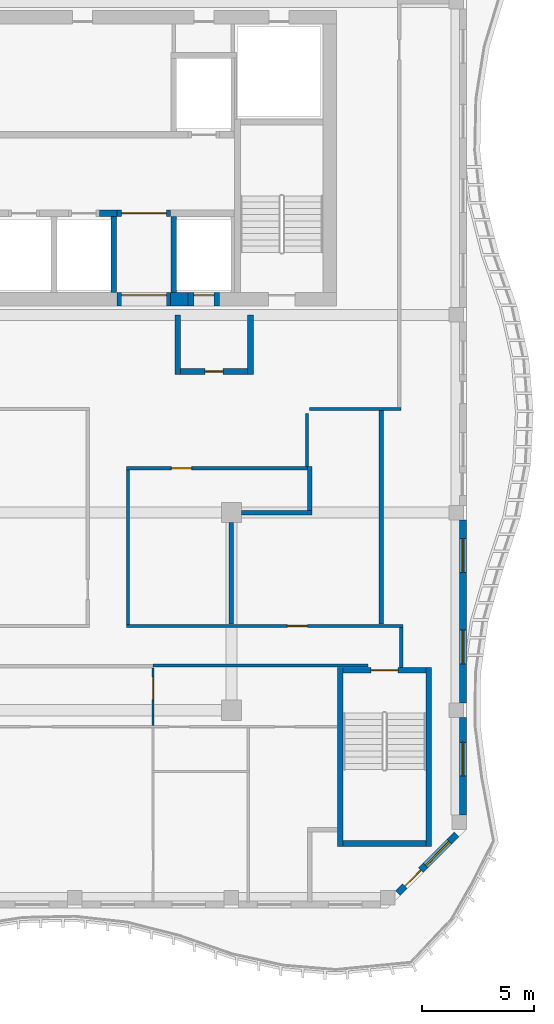
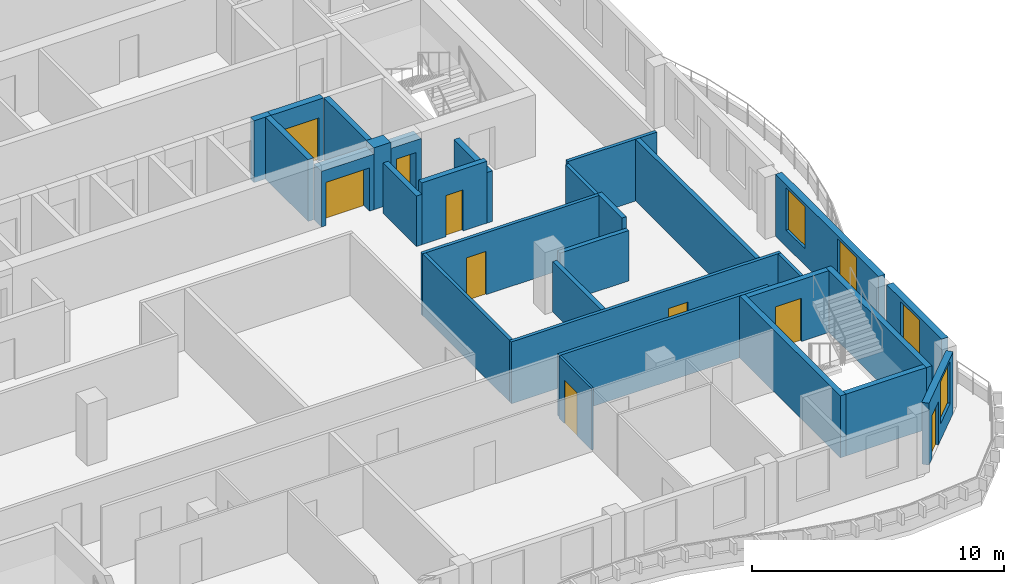
# One storey, part 5 of 13: 29 walls, 9 doors, 4 windows, 13 openings.
"""IFC4 building model written with IfcOpenShell, lengths in metres."""

from ifc_helpers import new_model, si_unit, direction, frame, frame_2d, origin, place, context, subcontext, project, spatial, rectangle, extrude, source, transform, mapped, material, layer, layer_set, type_object, element, fill, save


model = new_model("IFC4")

# Units and contexts
model_context = context("Model", 3, precision=1e-05, world=origin(), true_north=direction((0.0, 1.0)))
body_context = subcontext(model_context, "Body", "Model", "MODEL_VIEW")
ifc_project = project(units=[si_unit("LENGTHUNIT", "METRE"), si_unit("AREAUNIT", "SQUARE_METRE"), si_unit("VOLUMEUNIT", "CUBIC_METRE"), si_unit("PLANEANGLEUNIT", "RADIAN"), si_unit("MASSUNIT", "GRAM", prefix="KILO")], contexts=[model_context])

# Site, building, storey
site_placement = place(None, origin())
site = spatial("IfcSite", under=ifc_project, at=site_placement, CompositionType="ELEMENT")
building_placement = place(site_placement, origin())
building = spatial("IfcBuilding", under=site, at=building_placement, Name="Kilnfold Tower and Market Hall", CompositionType="ELEMENT")
storey_placement = place(building_placement, frame((0.0, 0.0, 287.39990234375)))
storey = spatial("IfcBuildingStorey", under=building, at=storey_placement, Name="L71", CompositionType="ELEMENT", Elevation=287.39990234375)

# Walls
ifc_material_1 = material(Name="Gypsum board on steel studs", Category="steel")
ifc_layer_1 = layer(ifc_material_1, 0.14990234375)
ifc_layer_set_1 = layer_set([ifc_layer_1], Name="Gypsum board on steel studs")
wall_type_1 = type_object("IfcWallType", Name="WALL CORRIDOR 150", PredefinedType="PARTITIONING", material=ifc_layer_set_1)
wall_1_placement = place(storey_placement, frame((9.489990234375, -7.669921875, 0.0), z_axis=(0.0, 0.0, 1.0), x_axis=(1.0, 0.0, 0.0)))
element("IfcWall", 1, at=wall_1_placement, inside=storey, type_object=wall_type_1, Name="Partition LY43.15", PredefinedType="PARTITIONING", context=body_context, shape_type="SweptSolid", body=[
    extrude(rectangle(XDim=9.610107421875, YDim=0.14990234375, at=frame_2d((4.80517578125, 0.0))), origin(), (0.0, 0.0, 1.0), 3.0),
])
wall_2_placement = place(storey_placement, frame((20.60009765625, -7.75, 0.0), z_axis=(0.0, 0.0, 1.0), x_axis=(0.0, 1.0, 0.0)))
element("IfcWall", 2, at=wall_2_placement, inside=storey, type_object=wall_type_1, Name="Partition LY43.17", PredefinedType="PARTITIONING", context=body_context, shape_type="SweptSolid", body=[
    extrude(rectangle(XDim=1.77490234375, YDim=0.14990234375, at=frame_2d((0.887451171875, 0.0))), origin(), (0.0, 0.0, 1.0), 3.0),
])
wall_3_placement = place(storey_placement, frame((16.3798828125, 1.22509765625, 0.0), z_axis=(0.0, 0.0, 1.0), x_axis=(0.0, 1.0, 0.0)))
element("IfcWall", 3, at=wall_3_placement, inside=storey, type_object=wall_type_1, Name="Partition LY43.30", PredefinedType="PARTITIONING", context=body_context, shape_type="SweptSolid", body=[
    extrude(rectangle(XDim=2.367919921875, YDim=0.14990234375, at=frame_2d((1.18408203125, 0.0))), origin(), (0.0, 0.0, 1.0), 3.0),
])

# Wall, opening, door
wall_4_placement = place(storey_placement, frame((8.304931640625, 1.14990234375, 0.0), z_axis=(0.0, 0.0, 1.0), x_axis=(1.0, 0.0, 0.0)))
wall_4 = element("IfcWall", 4, at=wall_4_placement, inside=storey, type_object=wall_type_1, Name="Partition LY43.31", PredefinedType="PARTITIONING", context=body_context, shape_type="SweptSolid", body=[
    extrude(rectangle(XDim=8.094970703125, YDim=0.14990234375, at=frame_2d((4.04736328125, 0.0))), origin(), (0.0, 0.0, 1.0), 3.0),
])
opening_1_placement = place(wall_4_placement, frame((2.012939453125, 0.0, 0.0)))
opening_1 = element("IfcOpeningElement", 5, at=opening_1_placement, cuts=wall_4, Name="Opening D2", PredefinedType="OPENING", context=body_context, shape_type="SweptSolid", body=[
    extrude(rectangle(XDim=0.89990234375, YDim=2.10009765625, at=frame_2d((0.449951171875, 1.050048828125))), frame((0.0, 0.0849609375, 0.0), z_axis=(0.0, -1.0, 0.0), x_axis=(1.0, 0.0, 0.0)), (0.0, 0.0, 1.0), 0.169921875),
])
ifc_material_2 = material(Name="Timber veneer door leaf in steel frame", Category="steel")
door_type_1 = type_object("IfcDoorType", Name="DOOR ROOM 900 X2100", OperationType="NOTDEFINED", PredefinedType="DOOR", material=ifc_material_2)
door_1_placement = place(opening_1_placement, origin())
door_1 = element("IfcDoor", 6, at=door_1_placement, inside=storey, type_object=door_type_1, Name="Door D2", OperationType="SINGLE_SWING_LEFT", OverallHeight=2.10009765625, OverallWidth=0.89990234375, PredefinedType="DOOR", context=body_context, shape_type="SweptSolid", body=[
    extrude(rectangle(XDim=0.89990234375, YDim=2.10009765625, at=frame_2d((0.449951171875, 1.050048828125))), frame((0.0, 0.02490234375, 0.0), z_axis=(0.0, -1.0, 0.0), x_axis=(1.0, 0.0, 0.0)), (0.0, 0.0, 1.0), 0.050048828125),
])
fill(opening_1, door_1)

# Wall
wall_5_placement = place(storey_placement, frame((8.3798828125, -5.824951171875, 0.0), z_axis=(0.0, 0.0, 1.0), x_axis=(0.0, 1.0, 0.0)))
element("IfcWall", 7, at=wall_5_placement, inside=storey, type_object=wall_type_1, Name="Partition LY43.32", PredefinedType="PARTITIONING", context=body_context, shape_type="SweptSolid", body=[
    extrude(rectangle(XDim=6.89990234375, YDim=0.14990234375, at=frame_2d((3.449951171875, 0.0))), origin(), (0.0, 0.0, 1.0), 3.0),
])

# Wall, opening, door
wall_6_placement = place(storey_placement, frame((8.304931640625, -5.89990234375, 0.0), z_axis=(0.0, 0.0, 1.0), x_axis=(1.0, 0.0, 0.0)))
wall_6 = element("IfcWall", 8, at=wall_6_placement, inside=storey, type_object=wall_type_1, Name="Partition LY43.33", PredefinedType="PARTITIONING", context=body_context, shape_type="SweptSolid", body=[
    extrude(rectangle(XDim=12.3701171875, YDim=0.14990234375, at=frame_2d((6.18505859375, 0.0))), origin(), (0.0, 0.0, 1.0), 3.0),
])
opening_2_placement = place(wall_6_placement, frame((7.194091796875, 0.0, 0.0)))
opening_2 = element("IfcOpeningElement", 9, at=opening_2_placement, cuts=wall_6, Name="Opening D2", PredefinedType="OPENING", context=body_context, shape_type="SweptSolid", body=[
    extrude(rectangle(XDim=0.89990234375, YDim=2.10009765625, at=frame_2d((0.449951171875, 1.050048828125))), frame((0.0, 0.0849609375, 0.0), z_axis=(0.0, -1.0, 0.0), x_axis=(1.0, 0.0, 0.0)), (0.0, 0.0, 1.0), 0.169921875),
])
door_2_placement = place(opening_2_placement, origin())
door_2 = element("IfcDoor", 10, at=door_2_placement, inside=storey, type_object=door_type_1, Name="Door D2", OperationType="SINGLE_SWING_RIGHT", OverallHeight=2.10009765625, OverallWidth=0.89990234375, PredefinedType="DOOR", context=body_context, shape_type="SweptSolid", body=[
    extrude(rectangle(XDim=0.89990234375, YDim=2.10009765625, at=frame_2d((0.449951171875, 1.050048828125))), frame((0.0, 0.02490234375, 0.0), z_axis=(0.0, -1.0, 0.0), x_axis=(1.0, 0.0, 0.0)), (0.0, 0.0, 1.0), 0.050048828125),
])
fill(opening_2, door_2)

# Wall
wall_7_placement = place(storey_placement, frame((16.489990234375, 3.800048828125, 0.0), z_axis=(0.0, 0.0, 1.0), x_axis=(1.0, 0.0, 0.0)))
element("IfcWall", 11, at=wall_7_placement, inside=storey, type_object=wall_type_1, Name="Partition LY43.34", PredefinedType="PARTITIONING", context=body_context, shape_type="SweptSolid", body=[
    extrude(rectangle(XDim=4.0849609375, YDim=0.14990234375, at=frame_2d((2.04248046875, 0.0))), origin(), (0.0, 0.0, 1.0), 3.0),
])

# Wall, opening, door
ifc_material_3 = material(Name="Gypsum board on steel studs", Category="steel")
ifc_layer_2 = layer(ifc_material_3, 0.10009765625)
ifc_layer_set_2 = layer_set([ifc_layer_2], Name="Gypsum board on steel studs")
wall_type_2 = type_object("IfcWallType", Name="WALL PARTITION 100", PredefinedType="PARTITIONING", material=ifc_layer_set_2)
wall_8_placement = place(storey_placement, frame((9.5, -10.35009765625, 0.0), z_axis=(0.0, 0.0, 1.0), x_axis=(0.0, 1.0, 0.0)))
wall_8 = element("IfcWall", 12, at=wall_8_placement, inside=storey, type_object=wall_type_2, Name="Partition LY43.53", PredefinedType="PARTITIONING", context=body_context, shape_type="SweptSolid", body=[
    extrude(rectangle(XDim=2.572998046875, YDim=0.10009765625, at=frame_2d((1.28662109375, 0.0))), origin(), (0.0, 0.0, 1.0), 3.0),
])
opening_3_placement = place(wall_8_placement, frame((1.159912109375, 0.0, 0.0)))
opening_3 = element("IfcOpeningElement", 13, at=opening_3_placement, cuts=wall_8, Name="Opening D1", PredefinedType="OPENING", context=body_context, shape_type="SweptSolid", body=[
    extrude(rectangle(XDim=1.0, YDim=2.10009765625, at=frame_2d((0.5, 1.050048828125))), frame((0.0, 0.06005859375, 0.0), z_axis=(0.0, -1.0, 0.0), x_axis=(1.0, 0.0, 0.0)), (0.0, 0.0, 1.0), 0.1201171875),
])
ifc_material_4 = material(Name="Timber veneer door leaf in steel frame", Category="steel")
door_type_2 = type_object("IfcDoorType", Name="DOOR ENTRY 1000 X2100", OperationType="NOTDEFINED", PredefinedType="DOOR", material=ifc_material_4)
door_3_placement = place(opening_3_placement, origin())
door_3 = element("IfcDoor", 14, at=door_3_placement, inside=storey, type_object=door_type_2, Name="Door D1", OperationType="SINGLE_SWING_RIGHT", OverallHeight=2.10009765625, OverallWidth=1.0, PredefinedType="DOOR", context=body_context, shape_type="SweptSolid", body=[
    extrude(rectangle(XDim=1.0, YDim=2.10009765625, at=frame_2d((0.5, 1.050048828125))), frame((0.0, 0.02490234375, 0.0), z_axis=(0.0, -1.0, 0.0), x_axis=(1.0, 0.0, 0.0)), (0.0, 0.0, 1.0), 0.050048828125),
])
fill(opening_3, door_3)

# Walls
ifc_material_5 = material(Name="Gypsum board on steel studs", Category="steel")
ifc_layer_3 = layer(ifc_material_5, 0.199951171875)
ifc_layer_set_3 = layer_set([ifc_layer_3], Name="Gypsum board on steel studs")
wall_type_3 = type_object("IfcWallType", Name="WALL PARTY 200", PredefinedType="PARTITIONING", material=ifc_layer_set_3)
wall_9_placement = place(storey_placement, frame((19.699951171875, 3.722900390625, 0.0), z_axis=(0.0, 0.0, 1.0), x_axis=(0.0, -1.0, 0.0)))
element("IfcWall", 15, at=wall_9_placement, inside=storey, type_object=wall_type_3, Name="Partition LY43.62", PredefinedType="PARTITIONING", context=body_context, shape_type="SweptSolid", body=[
    extrude(rectangle(XDim=9.5458984375, YDim=0.199951171875, at=frame_2d((4.77294921875, 0.0))), origin(), (0.0, 0.0, 1.0), 3.0),
])
wall_10_placement = place(storey_placement, frame((16.5, -0.73291015625, 0.0), z_axis=(0.0, 0.0, 1.0), x_axis=(0.0, 1.0, 0.0)))
element("IfcWall", 16, at=wall_10_placement, inside=storey, type_object=wall_type_3, Name="Partition LY43.83", PredefinedType="PARTITIONING", context=body_context, shape_type="SweptSolid", body=[
    extrude(rectangle(XDim=1.9580078125, YDim=0.199951171875, at=frame_2d((0.97900390625, 0.0))), origin(), (0.0, 0.0, 1.0), 3.0),
])
wall_11_placement = place(storey_placement, frame((13.449951171875, -0.8330078125, 0.0), z_axis=(0.0, 0.0, 1.0), x_axis=(1.0, 0.0, 0.0)))
element("IfcWall", 17, at=wall_11_placement, inside=storey, type_object=wall_type_3, Name="Partition LY43.84", PredefinedType="PARTITIONING", context=body_context, shape_type="SweptSolid", body=[
    extrude(rectangle(XDim=3.150146484375, YDim=0.199951171875, at=frame_2d((1.5751953125, 0.0))), origin(), (0.0, 0.0, 1.0), 2.4501953125),
])
wall_12_placement = place(storey_placement, frame((13.0, -5.822998046875, 0.0), z_axis=(0.0, 0.0, 1.0), x_axis=(0.0, 1.0, 0.0)))
element("IfcWall", 18, at=wall_12_placement, inside=storey, type_object=wall_type_3, Name="Partition LY43.85", PredefinedType="PARTITIONING", context=body_context, shape_type="SweptSolid", body=[
    extrude(rectangle(XDim=4.5400390625, YDim=0.199951171875, at=frame_2d((2.27001953125, 0.0))), origin(), (0.0, 0.0, 1.0), 2.4501953125),
])
ifc_material_6 = material(Name="Concrete C50", Category="concrete")
ifc_layer_4 = layer(ifc_material_6, 0.25)
ifc_layer_set_4 = layer_set([ifc_layer_4], Name="Concrete C50")
wall_type_4 = type_object("IfcWallType", Name="CORE WALL 250 C50", PredefinedType="SHEAR", material=ifc_layer_set_4)
shared_shape_1 = source(origin(), body_context, "Body", "SweptSolid", [
    extrude(rectangle(XDim=3.699951171875, YDim=0.25, at=frame_2d((1.85009765625, 0.0))), origin(), (0.0, 0.0, 1.0), 3.0),
])
wall_13_placement = place(storey_placement, frame((18.0, -15.625, 0.0), z_axis=(0.0, 0.0, 1.0), x_axis=(1.0, 0.0, 0.0)))
element("IfcWall", 19, at=wall_13_placement, inside=storey, type_object=wall_type_4, Name="Stair enclosure ST4", PredefinedType="SHEAR", context=body_context, shape_type="MappedRepresentation", body=[
    mapped(shared_shape_1, transform((0.0, 0.0, 0.0))),
])

# Wall, opening, door
wall_14_placement = place(storey_placement, frame((18.0, -7.875, 0.0), z_axis=(0.0, 0.0, 1.0), x_axis=(1.0, 0.0, 0.0)))
wall_14 = element("IfcWall", 20, at=wall_14_placement, inside=storey, type_object=wall_type_4, Name="Stair enclosure ST4", PredefinedType="SHEAR", context=body_context, shape_type="MappedRepresentation", body=[
    mapped(shared_shape_1, transform((0.0, 0.0, 0.0))),
])
opening_4_placement = place(wall_14_placement, frame((1.25, 0.0, 0.0)))
opening_4 = element("IfcOpeningElement", 21, at=opening_4_placement, cuts=wall_14, Name="Opening SD1", PredefinedType="OPENING", context=body_context, shape_type="SweptSolid", body=[
    extrude(rectangle(XDim=1.199951171875, YDim=2.10009765625, at=frame_2d((0.60009765625, 1.050048828125))), frame((0.0, 0.135009765625, 0.0), z_axis=(0.0, -1.0, 0.0), x_axis=(1.0, 0.0, 0.0)), (0.0, 0.0, 1.0), 0.27001953125),
])
ifc_material_7 = material(Name="Steel door set with fire-resisting leaf", Category="steel")
door_type_3 = type_object("IfcDoorType", Name="STAIR FLOOR DOOR 1200X2100", OperationType="NOTDEFINED", PredefinedType="DOOR", material=ifc_material_7)
door_4_placement = place(opening_4_placement, origin())
door_4 = element("IfcDoor", 22, at=door_4_placement, inside=storey, type_object=door_type_3, Name="Exit stair ST4 door", OperationType="DOUBLE_DOOR_SINGLE_SWING", OverallHeight=2.10009765625, OverallWidth=1.199951171875, PredefinedType="DOOR", context=body_context, shape_type="SweptSolid", body=[
    extrude(rectangle(XDim=1.199951171875, YDim=2.10009765625, at=frame_2d((0.60009765625, 1.050048828125))), frame((0.0, 0.02490234375, 0.0), z_axis=(0.0, -1.0, 0.0), x_axis=(1.0, 0.0, 0.0)), (0.0, 0.0, 1.0), 0.050048828125),
])
fill(opening_4, door_4)

# Walls
shared_shape_2 = source(origin(), body_context, "Body", "SweptSolid", [
    extrude(rectangle(XDim=8.0, YDim=0.25, at=frame_2d((4.0, 0.0))), origin(), (0.0, 0.0, 1.0), 3.0),
])
for number, where, z_axis, x_axis, name in (
    (23, (17.875, -15.75, 0.0), (0.0, 0.0, 1.0), (0.0, 1.0, 0.0), "Stair enclosure ST4"),
    (24, (21.824951171875, -15.75, 0.0), (0.0, 0.0, 1.0), (0.0, 1.0, 0.0), "Stair enclosure ST4"),
):
    element("IfcWall", number, at=place(storey_placement, frame(where, z_axis=z_axis, x_axis=x_axis)), inside=storey, type_object=wall_type_4, Name=name, PredefinedType="SHEAR", context=body_context, shape_type="MappedRepresentation", body=[
        mapped(shared_shape_2, transform((0.0, 0.0, 0.0))),
    ])
ifc_material_8 = material(Name="Concrete C50", Category="concrete")
ifc_layer_5 = layer(ifc_material_8, 0.300048828125)
ifc_layer_set_5 = layer_set([ifc_layer_5], Name="Concrete C50")
wall_type_5 = type_object("IfcWallType", Name="CORE WALL 300 C50", PredefinedType="SHEAR", material=ifc_layer_set_5)
shared_shape_3 = source(origin(), body_context, "Body", "SweptSolid", [
    extrude(rectangle(XDim=0.77978515625, YDim=0.300048828125, at=frame_2d((0.389892578125, 0.0))), origin(), (0.0, 0.0, 1.0), 3.0),
])
wall_15_placement = place(storey_placement, frame((7.110107421875, 12.550048828125, 0.0), z_axis=(0.0, 0.0, 1.0), x_axis=(1.0, 0.0, 0.0)))
element("IfcWall", 25, at=wall_15_placement, inside=storey, type_object=wall_type_5, Name="Core spine wall", PredefinedType="SHEAR", context=body_context, shape_type="MappedRepresentation", body=[
    mapped(shared_shape_3, transform((0.0, 0.0, 0.0))),
])
ifc_material_9 = material(Name="Concrete C50", Category="concrete")
ifc_layer_6 = layer(ifc_material_9, 0.60009765625)
ifc_layer_set_6 = layer_set([ifc_layer_6], Name="Concrete C50")
wall_type_6 = type_object("IfcWallType", Name="CORE WALL 600 C50", PredefinedType="SHEAR", material=ifc_layer_set_6)
shared_shape_4 = source(origin(), body_context, "Body", "SweptSolid", [
    extrude(rectangle(XDim=0.780029296875, YDim=0.60009765625, at=frame_2d((0.39013671875, 0.0))), origin(), (0.0, 0.0, 1.0), 3.0),
])
wall_16_placement = place(storey_placement, frame((10.2900390625, 8.699951171875, 0.0), z_axis=(0.0, 0.0, 1.0), x_axis=(1.0, 0.0, 0.0)))
element("IfcWall", 26, at=wall_16_placement, inside=storey, type_object=wall_type_6, Name="Core outer wall south", PredefinedType="SHEAR", context=body_context, shape_type="MappedRepresentation", body=[
    mapped(shared_shape_4, transform((0.0, 0.0, 0.0))),
])

# Wall, openings, door, window
ifc_material_10 = material(Name="Precast concrete C50/60", Category="concrete")
ifc_layer_7 = layer(ifc_material_10, 0.300048828125)
ifc_layer_set_7 = layer_set([ifc_layer_7], Name="Precast concrete C50/60")
wall_type_7 = type_object("IfcWallType", Name="PRECAST WALL 300", PredefinedType="SOLIDWALL", material=ifc_layer_set_7)
shared_shape_5 = source(origin(), body_context, "Body", "SweptSolid", [
    extrude(rectangle(XDim=3.71240234375, YDim=0.300048828125, at=frame_2d((1.856201171875, 0.0))), origin(), (0.0, 0.0, 1.0), 3.0),
])
wall_17_placement = place(storey_placement, frame((20.44384765625, -17.843994140625, 0.0), z_axis=(0.0, 0.0, 1.0), x_axis=(0.707106781187, 0.707106781187, 0.0)))
wall_17 = element("IfcWall", 27, at=wall_17_placement, inside=storey, type_object=wall_type_7, Name="External wall L71 SE", PredefinedType="SOLIDWALL", context=body_context, shape_type="MappedRepresentation", body=[
    mapped(shared_shape_5, transform((0.0, 0.0, 0.0))),
])
opening_5_placement = place(wall_17_placement, frame((1.75, 0.0, 0.800048828125)))
opening_5 = element("IfcOpeningElement", 28, at=opening_5_placement, cuts=wall_17, Name="Opening W5", PredefinedType="OPENING", context=body_context, shape_type="SweptSolid", body=[
    extrude(rectangle(XDim=1.5, YDim=2.050048828125, at=frame_2d((0.75, 1.02490234375))), frame((0.0, 0.16015625, 0.0), z_axis=(0.0, -1.0, 0.0), x_axis=(1.0, 0.0, 0.0)), (0.0, 0.0, 1.0), 0.320068359375),
])
opening_6_placement = place(wall_17_placement, frame((0.449951171875, 0.0, 0.0)))
opening_6 = element("IfcOpeningElement", 29, at=opening_6_placement, cuts=wall_17, Name="Opening BD1", PredefinedType="OPENING", context=body_context, shape_type="SweptSolid", body=[
    extrude(rectangle(XDim=1.0, YDim=2.10009765625, at=frame_2d((0.5, 1.050048828125))), frame((0.0, 0.16015625, 0.0), z_axis=(0.0, -1.0, 0.0), x_axis=(1.0, 0.0, 0.0)), (0.0, 0.0, 1.0), 0.320068359375),
])
ifc_material_11 = material(Name="Aluminium frame and double glazing", Category="aluminium")
door_type_4 = type_object("IfcDoorType", Name="BALCONY DOOR 1000X2100", OperationType="NOTDEFINED", PredefinedType="DOOR", material=ifc_material_11)
door_5_placement = place(opening_6_placement, origin())
door_5 = element("IfcDoor", 30, at=door_5_placement, inside=storey, type_object=door_type_4, Name="Balcony door BD1 L71 SE-1", OperationType="SINGLE_SWING_LEFT", OverallHeight=2.10009765625, OverallWidth=1.0, PredefinedType="DOOR", context=body_context, shape_type="SweptSolid", body=[
    extrude(rectangle(XDim=1.0, YDim=2.10009765625, at=frame_2d((0.5, 1.050048828125))), frame((0.0, 0.02490234375, 0.0), z_axis=(0.0, -1.0, 0.0), x_axis=(1.0, 0.0, 0.0)), (0.0, 0.0, 1.0), 0.050048828125),
])
fill(opening_6, door_5)
ifc_material_12 = material(Name="Aluminium frame and double glazing", Category="aluminium")
window_type = type_object("IfcWindowType", Name="WINDOW W5 1500X2050", PartitioningType="SINGLE_PANEL", PredefinedType="WINDOW", material=ifc_material_12)
window_1_placement = place(opening_5_placement, origin())
window_1 = element("IfcWindow", 31, at=window_1_placement, inside=storey, type_object=window_type, Name="Window W5 L71 SE-1", OverallHeight=2.050048828125, OverallWidth=1.5, PartitioningType="SINGLE_PANEL", PredefinedType="WINDOW", context=body_context, shape_type="SweptSolid", body=[
    extrude(rectangle(XDim=1.5, YDim=2.050048828125, at=frame_2d((0.75, 1.02490234375))), frame((0.0, 0.030029296875, 0.0), z_axis=(0.0, -1.0, 0.0), x_axis=(1.0, 0.0, 0.0)), (0.0, 0.0, 1.0), 0.06005859375),
])
fill(opening_5, window_1)

# Wall, opening, window
shared_shape_6 = source(origin(), body_context, "Body", "SweptSolid", [
    extrude(rectangle(XDim=4.364990234375, YDim=0.300048828125, at=frame_2d((2.1826171875, 0.0))), origin(), (0.0, 0.0, 1.0), 3.0),
])
wall_18_placement = place(storey_placement, frame((23.35009765625, -14.356689453125, 0.0), z_axis=(0.0, 0.0, 1.0), x_axis=(0.0, 1.0, 0.0)))
wall_18 = element("IfcWall", 32, at=wall_18_placement, inside=storey, type_object=wall_type_7, Name="External wall L71 E", PredefinedType="SOLIDWALL", context=body_context, shape_type="MappedRepresentation", body=[
    mapped(shared_shape_6, transform((0.0, 0.0, 0.0))),
])
opening_7_placement = place(wall_18_placement, frame((1.75, 0.0, 0.800048828125)))
opening_7 = element("IfcOpeningElement", 33, at=opening_7_placement, cuts=wall_18, Name="Opening W5", PredefinedType="OPENING", context=body_context, shape_type="SweptSolid", body=[
    extrude(rectangle(XDim=1.5, YDim=2.050048828125, at=frame_2d((0.75, 1.02490234375))), frame((0.0, 0.16015625, 0.0), z_axis=(0.0, -1.0, 0.0), x_axis=(1.0, 0.0, 0.0)), (0.0, 0.0, 1.0), 0.320068359375),
])
window_2_placement = place(opening_7_placement, origin())
window_2 = element("IfcWindow", 34, at=window_2_placement, inside=storey, type_object=window_type, Name="Window W5 L71 E-1", OverallHeight=2.050048828125, OverallWidth=1.5, PartitioningType="SINGLE_PANEL", PredefinedType="WINDOW", context=body_context, shape_type="SweptSolid", body=[
    extrude(rectangle(XDim=1.5, YDim=2.050048828125, at=frame_2d((0.75, 1.02490234375))), frame((0.0, 0.030029296875, 0.0), z_axis=(0.0, -1.0, 0.0), x_axis=(1.0, 0.0, 0.0)), (0.0, 0.0, 1.0), 0.06005859375),
])
fill(opening_7, window_2)

# Wall, openings, windows
shared_shape_7 = source(origin(), body_context, "Body", "SweptSolid", [
    extrude(rectangle(XDim=8.18359375, YDim=0.300048828125, at=frame_2d((4.091796875, 0.0))), origin(), (0.0, 0.0, 1.0), 3.0),
])
wall_19_placement = place(storey_placement, frame((23.35009765625, -9.341796875, 0.0), z_axis=(0.0, 0.0, 1.0), x_axis=(0.0, 1.0, 0.0)))
wall_19 = element("IfcWall", 35, at=wall_19_placement, inside=storey, type_object=wall_type_7, Name="External wall L71 E", PredefinedType="SOLIDWALL", context=body_context, shape_type="MappedRepresentation", body=[
    mapped(shared_shape_7, transform((0.0, 0.0, 0.0))),
])
opening_8_placement = place(wall_19_placement, frame((1.75, 0.0, 0.800048828125)))
opening_8 = element("IfcOpeningElement", 36, at=opening_8_placement, cuts=wall_19, Name="Opening W5", PredefinedType="OPENING", context=body_context, shape_type="SweptSolid", body=[
    extrude(rectangle(XDim=1.5, YDim=2.050048828125, at=frame_2d((0.75, 1.02490234375))), frame((0.0, 0.16015625, 0.0), z_axis=(0.0, -1.0, 0.0), x_axis=(1.0, 0.0, 0.0)), (0.0, 0.0, 1.0), 0.320068359375),
])
opening_9_placement = place(wall_19_placement, frame((5.841796875, 0.0, 0.800048828125)))
opening_9 = element("IfcOpeningElement", 37, at=opening_9_placement, cuts=wall_19, Name="Opening W5", PredefinedType="OPENING", context=body_context, shape_type="SweptSolid", body=[
    extrude(rectangle(XDim=1.5, YDim=2.050048828125, at=frame_2d((0.75, 1.02490234375))), frame((0.0, 0.16015625, 0.0), z_axis=(0.0, -1.0, 0.0), x_axis=(1.0, 0.0, 0.0)), (0.0, 0.0, 1.0), 0.320068359375),
])
window_3_placement = place(opening_8_placement, origin())
window_3 = element("IfcWindow", 38, at=window_3_placement, inside=storey, type_object=window_type, Name="Window W5 L71 E-1", OverallHeight=2.050048828125, OverallWidth=1.5, PartitioningType="SINGLE_PANEL", PredefinedType="WINDOW", context=body_context, shape_type="SweptSolid", body=[
    extrude(rectangle(XDim=1.5, YDim=2.050048828125, at=frame_2d((0.75, 1.02490234375))), frame((0.0, 0.030029296875, 0.0), z_axis=(0.0, -1.0, 0.0), x_axis=(1.0, 0.0, 0.0)), (0.0, 0.0, 1.0), 0.06005859375),
])
fill(opening_8, window_3)
window_4_placement = place(opening_9_placement, origin())
window_4 = element("IfcWindow", 39, at=window_4_placement, inside=storey, type_object=window_type, Name="Window W5 L71 E-2", OverallHeight=2.050048828125, OverallWidth=1.5, PartitioningType="SINGLE_PANEL", PredefinedType="WINDOW", context=body_context, shape_type="SweptSolid", body=[
    extrude(rectangle(XDim=1.5, YDim=2.050048828125, at=frame_2d((0.75, 1.02490234375))), frame((0.0, 0.030029296875, 0.0), z_axis=(0.0, -1.0, 0.0), x_axis=(1.0, 0.0, 0.0)), (0.0, 0.0, 1.0), 0.06005859375),
])
fill(opening_9, window_4)

# Wall, opening, door
ifc_material_13 = material(Name="Gypsum shaft wall system")
ifc_layer_8 = layer(ifc_material_13, 0.300048828125)
ifc_layer_set_8 = layer_set([ifc_layer_8], Name="Gypsum shaft wall system")
wall_type_8 = type_object("IfcWallType", Name="SHAFT WALL 300", PredefinedType="PARTITIONING", material=ifc_layer_set_8)
shared_shape_8 = source(origin(), body_context, "Body", "SweptSolid", [
    extrude(rectangle(XDim=2.400146484375, YDim=0.300048828125, at=frame_2d((1.2001953125, 0.0))), origin(), (0.0, 0.0, 1.0), 3.0),
])
wall_20_placement = place(storey_placement, frame((7.889892578125, 12.550048828125, 0.0), z_axis=(0.0, 0.0, 1.0), x_axis=(1.0, 0.0, 0.0)))
wall_20 = element("IfcWall", 40, at=wall_20_placement, inside=storey, type_object=wall_type_8, Name="Lift shaft front wall", PredefinedType="PARTITIONING", context=body_context, shape_type="MappedRepresentation", body=[
    mapped(shared_shape_8, transform((0.0, 0.0, 0.0))),
])
opening_10_placement = place(wall_20_placement, frame((0.199951171875, 0.0, 0.0)))
opening_10 = element("IfcOpeningElement", 41, at=opening_10_placement, cuts=wall_20, Name="Opening VD2", PredefinedType="OPENING", context=body_context, shape_type="SweptSolid", body=[
    extrude(rectangle(XDim=2.0, YDim=2.10009765625, at=frame_2d((1.0, 1.050048828125))), frame((0.0, 0.16015625, 0.0), z_axis=(0.0, -1.0, 0.0), x_axis=(1.0, 0.0, 0.0)), (0.0, 0.0, 1.0), 0.320068359375),
])
ifc_material_14 = material(Name="Steel door set with fire-resisting leaf", Category="steel")
door_type_5 = type_object("IfcDoorType", Name="LIFT LOBBY ENTRANCE DOOR 2000X2100", OperationType="NOTDEFINED", PredefinedType="DOOR", material=ifc_material_14)
door_6_placement = place(opening_10_placement, origin())
door_6 = element("IfcDoor", 42, at=door_6_placement, inside=storey, type_object=door_type_5, Name="Lift lobby entrance door", OperationType="DOUBLE_DOOR_SINGLE_SWING", OverallHeight=2.10009765625, OverallWidth=2.0, PredefinedType="DOOR", context=body_context, shape_type="SweptSolid", body=[
    extrude(rectangle(XDim=2.0, YDim=2.10009765625, at=frame_2d((1.0, 1.050048828125))), frame((0.0, 0.02490234375, 0.0), z_axis=(0.0, -1.0, 0.0), x_axis=(1.0, 0.0, 0.0)), (0.0, 0.0, 1.0), 0.050048828125),
])
fill(opening_10, door_6)

ifc_material_15 = material(Name="Gypsum shaft wall system")
ifc_layer_9 = layer(ifc_material_15, 0.25)
ifc_layer_set_9 = layer_set([ifc_layer_9], Name="Gypsum shaft wall system")
wall_type_9 = type_object("IfcWallType", Name="LOBBY WALL 250", PredefinedType="PARTITIONING", material=ifc_layer_set_9)
shared_shape_9 = source(origin(), body_context, "Body", "SweptSolid", [
    extrude(rectangle(XDim=3.0, YDim=0.25, at=frame_2d((1.5, 0.0))), origin(), (0.0, 0.0, 1.0), 3.0),
])
wall_21_placement = place(storey_placement, frame((10.72998046875, 5.47509765625, 0.0), z_axis=(0.0, 0.0, 1.0), x_axis=(1.0, 0.0, 0.0)))
wall_21 = element("IfcWall", 43, at=wall_21_placement, inside=storey, type_object=wall_type_9, Name="Firefighting lobby wall", PredefinedType="PARTITIONING", context=body_context, shape_type="MappedRepresentation", body=[
    mapped(shared_shape_9, transform((0.0, 0.0, 0.0))),
])
opening_11_placement = place(wall_21_placement, frame((1.10009765625, 0.0, 0.0)))
opening_11 = element("IfcOpeningElement", 44, at=opening_11_placement, cuts=wall_21, Name="Opening VD1", PredefinedType="OPENING", context=body_context, shape_type="SweptSolid", body=[
    extrude(rectangle(XDim=0.800048828125, YDim=2.0, at=frame_2d((0.39990234375, 1.0))), frame((0.0, 0.135009765625, 0.0), z_axis=(0.0, -1.0, 0.0), x_axis=(1.0, 0.0, 0.0)), (0.0, 0.0, 1.0), 0.27001953125),
])
ifc_material_16 = material(Name="Steel door set with fire-resisting leaf", Category="steel")
door_type_6 = type_object("IfcDoorType", Name="FIREFIGHTING LOBBY DOOR 800X2000", OperationType="NOTDEFINED", PredefinedType="DOOR", material=ifc_material_16)
door_7_placement = place(opening_11_placement, origin())
door_7 = element("IfcDoor", 45, at=door_7_placement, inside=storey, type_object=door_type_6, Name="Firefighting lobby door", OperationType="SINGLE_SWING_RIGHT", OverallHeight=2.0, OverallWidth=0.800048828125, PredefinedType="DOOR", context=body_context, shape_type="SweptSolid", body=[
    extrude(rectangle(XDim=0.800048828125, YDim=2.0, at=frame_2d((0.39990234375, 1.0))), frame((0.0, 0.02490234375, 0.0), z_axis=(0.0, -1.0, 0.0), x_axis=(1.0, 0.0, 0.0)), (0.0, 0.0, 1.0), 0.050048828125),
])
fill(opening_11, door_7)

# Walls
ifc_material_17 = material(Name="Gypsum shaft wall system")
ifc_layer_10 = layer(ifc_material_17, 0.25)
ifc_layer_set_10 = layer_set([ifc_layer_10], Name="Gypsum shaft wall system")
wall_type_10 = type_object("IfcWallType", Name="SHAFT WALL 250", PredefinedType="PARTITIONING", material=ifc_layer_set_10)
shared_shape_10 = source(origin(), body_context, "Body", "SweptSolid", [
    extrude(rectangle(XDim=3.39990234375, YDim=0.25, at=frame_2d((1.699951171875, 0.0))), origin(), (0.0, 0.0, 1.0), 3.0),
])
for number, where, z_axis, x_axis, name in (
    (46, (10.429931640625, 9.0, 0.0), (0.0, 0.0, 1.0), (0.0, 1.0, 0.0), "Lift shaft wall"),
    (47, (7.75, 9.0, 0.0), (0.0, 0.0, 1.0), (0.0, 1.0, 0.0), "Lift shaft wall"),
):
    element("IfcWall", number, at=place(storey_placement, frame(where, z_axis=z_axis, x_axis=x_axis)), inside=storey, type_object=wall_type_10, Name=name, PredefinedType="PARTITIONING", context=body_context, shape_type="MappedRepresentation", body=[
        mapped(shared_shape_10, transform((0.0, 0.0, 0.0))),
    ])
shared_shape_11 = source(origin(), body_context, "Body", "SweptSolid", [
    extrude(rectangle(XDim=2.64990234375, YDim=0.25, at=frame_2d((1.324951171875, 0.0))), origin(), (0.0, 0.0, 1.0), 2.4501953125),
])
for number, where, z_axis, x_axis, name in (
    (48, (10.60498046875, 5.35009765625, 0.0), (0.0, 0.0, 1.0), (0.0, 1.0, 0.0), "Firefighting lobby wall"),
    (49, (13.85498046875, 5.35009765625, 0.0), (0.0, 0.0, 1.0), (0.0, 1.0, 0.0), "Firefighting lobby wall"),
):
    element("IfcWall", number, at=place(storey_placement, frame(where, z_axis=z_axis, x_axis=x_axis)), inside=storey, type_object=wall_type_9, Name=name, PredefinedType="PARTITIONING", context=body_context, shape_type="MappedRepresentation", body=[
        mapped(shared_shape_11, transform((0.0, 0.0, 0.0))),
    ])

# Wall, opening, door
ifc_material_18 = material(Name="Gypsum shaft wall system")
ifc_layer_11 = layer(ifc_material_18, 0.60009765625)
ifc_layer_set_11 = layer_set([ifc_layer_11], Name="Gypsum shaft wall system")
wall_type_11 = type_object("IfcWallType", Name="LOBBY WALL 600", PredefinedType="PARTITIONING", material=ifc_layer_set_11)
shared_shape_12 = source(origin(), body_context, "Body", "SweptSolid", [
    extrude(rectangle(XDim=1.39990234375, YDim=0.60009765625, at=frame_2d((0.699951171875, 0.0))), origin(), (0.0, 0.0, 1.0), 2.7001953125),
])
wall_22_placement = place(storey_placement, frame((11.070068359375, 8.699951171875, 0.0), z_axis=(0.0, 0.0, 1.0), x_axis=(1.0, 0.0, 0.0)))
wall_22 = element("IfcWall", 50, at=wall_22_placement, inside=storey, type_object=wall_type_11, Name="Core wall infill", PredefinedType="PARTITIONING", context=body_context, shape_type="MappedRepresentation", body=[
    mapped(shared_shape_12, transform((0.0, 0.0, 0.0))),
])
opening_12_placement = place(wall_22_placement, frame((0.25, 0.0, 0.0)))
opening_12 = element("IfcOpeningElement", 51, at=opening_12_placement, cuts=wall_22, Name="Opening LD1", PredefinedType="OPENING", context=body_context, shape_type="SweptSolid", body=[
    extrude(rectangle(XDim=0.89990234375, YDim=2.10009765625, at=frame_2d((0.449951171875, 1.050048828125))), frame((0.0, 0.31005859375, 0.0), z_axis=(0.0, -1.0, 0.0), x_axis=(1.0, 0.0, 0.0)), (0.0, 0.0, 1.0), 0.6201171875),
])
ifc_material_19 = material(Name="Steel door set with fire-resisting leaf", Category="steel")
door_type_7 = type_object("IfcDoorType", Name="FIREFIGHTING LANDING DOOR 900X2100", OperationType="NOTDEFINED", PredefinedType="DOOR", material=ifc_material_19)
door_8_placement = place(opening_12_placement, origin())
door_8 = element("IfcDoor", 52, at=door_8_placement, inside=storey, type_object=door_type_7, Name="Landing door FF3", OperationType="SLIDING_TO_LEFT", OverallHeight=2.10009765625, OverallWidth=0.89990234375, PredefinedType="DOOR", context=body_context, shape_type="SweptSolid", body=[
    extrude(rectangle(XDim=0.89990234375, YDim=2.10009765625, at=frame_2d((0.449951171875, 1.050048828125))), frame((0.0, 0.205078125, 0.0), z_axis=(0.0, -1.0, 0.0), x_axis=(1.0, 0.0, 0.0)), (0.0, 0.0, 1.0), 0.050048828125),
])
fill(opening_12, door_8)

shared_shape_13 = source(origin(), body_context, "Body", "SweptSolid", [
    extrude(rectangle(XDim=2.400146484375, YDim=0.60009765625, at=frame_2d((1.2001953125, 0.0))), origin(), (0.0, 0.0, 1.0), 2.7001953125),
])
wall_23_placement = place(storey_placement, frame((7.889892578125, 8.699951171875, 0.0), z_axis=(0.0, 0.0, 1.0), x_axis=(1.0, 0.0, 0.0)))
wall_23 = element("IfcWall", 53, at=wall_23_placement, inside=storey, type_object=wall_type_11, Name="Core wall infill", PredefinedType="PARTITIONING", context=body_context, shape_type="MappedRepresentation", body=[
    mapped(shared_shape_13, transform((0.0, 0.0, 0.0))),
])
opening_13_placement = place(wall_23_placement, frame((0.199951171875, 0.0, 0.0)))
opening_13 = element("IfcOpeningElement", 54, at=opening_13_placement, cuts=wall_23, Name="Opening VD2", PredefinedType="OPENING", context=body_context, shape_type="SweptSolid", body=[
    extrude(rectangle(XDim=2.0, YDim=2.10009765625, at=frame_2d((1.0, 1.050048828125))), frame((0.0, 0.31005859375, 0.0), z_axis=(0.0, -1.0, 0.0), x_axis=(1.0, 0.0, 0.0)), (0.0, 0.0, 1.0), 0.6201171875),
])
door_9_placement = place(opening_13_placement, origin())
door_9 = element("IfcDoor", 55, at=door_9_placement, inside=storey, type_object=door_type_5, Name="Lift lobby entrance door", OperationType="DOUBLE_DOOR_SINGLE_SWING", OverallHeight=2.10009765625, OverallWidth=2.0, PredefinedType="DOOR", context=body_context, shape_type="SweptSolid", body=[
    extrude(rectangle(XDim=2.0, YDim=2.10009765625, at=frame_2d((1.0, 1.050048828125))), frame((0.0, 0.205078125, 0.0), z_axis=(0.0, -1.0, 0.0), x_axis=(1.0, 0.0, 0.0)), (0.0, 0.0, 1.0), 0.050048828125),
])
fill(opening_13, door_9)

save(model, "model.ifc")
